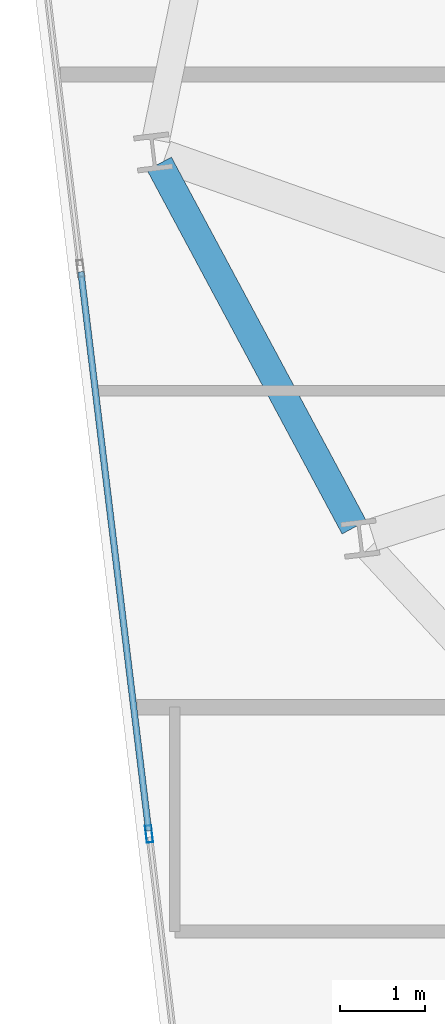
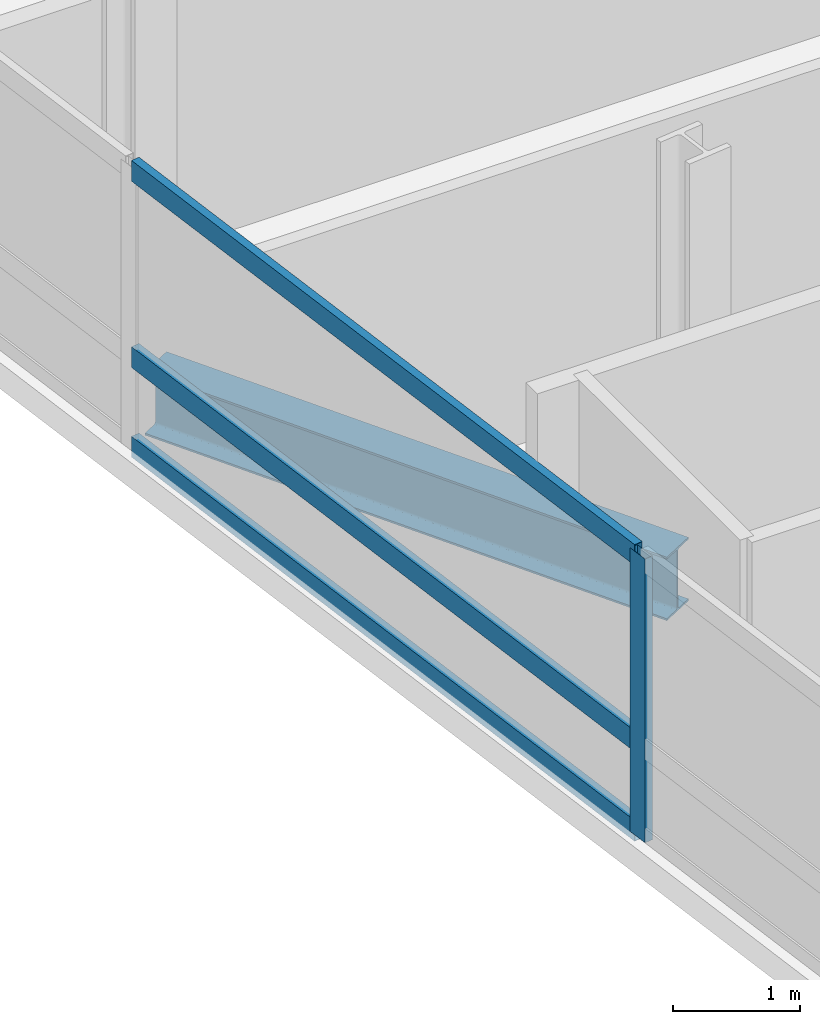
# One storey, part 4 of 23: 4 members, 1 beam, 1 element without a shape of its own.
"""IFC4 building model written with IfcOpenShell, lengths in metres."""

from ifc_helpers import new_model, si_unit, direction, frame, origin, origin_2d, place, context, subcontext, project, spatial, hollow_rectangle, i_section, extrude, material, layer, layer_set, material_profile, profile_set, type_object, element, aggregate, save


model = new_model("IFC4")

# Units and contexts
model_context = context("Model", 3, precision=1e-05, world=origin(), true_north=direction((0.0, 1.0)))
body_context = subcontext(model_context, "Body", "Model", "MODEL_VIEW")
ifc_project = project(units=[si_unit("LENGTHUNIT", "METRE"), si_unit("AREAUNIT", "SQUARE_METRE"), si_unit("VOLUMEUNIT", "CUBIC_METRE"), si_unit("PLANEANGLEUNIT", "RADIAN"), si_unit("MASSUNIT", "GRAM", prefix="KILO")], contexts=[model_context])

# Site, building, storey
site_placement = place(None, origin())
site = spatial("IfcSite", under=ifc_project, at=site_placement, CompositionType="ELEMENT")
building_placement = place(site_placement, origin())
building = spatial("IfcBuilding", under=site, at=building_placement, Name="Varnelok Gate Tower", CompositionType="ELEMENT")
storey_placement = place(building_placement, frame((0.0, 0.0, 200.5)))
storey = spatial("IfcBuildingStorey", under=building, at=storey_placement, Name="L51", CompositionType="ELEMENT", Elevation=200.5)

# Beam
ifc_material_1 = material(Name="Structural Steel ASTM A992 Grade 50", Category="steel")
ifc_material_profile_1 = material_profile(ifc_material_1, i_section(OverallWidth=0.323974609375, OverallDepth=0.611083984375, WebThickness=0.0126953125, FlangeThickness=0.01904296875, FilletRadius=0.01806640625, at=origin_2d()), Name="W24X104")
ifc_profile_set_1 = profile_set([ifc_material_profile_1], Name="Structural Steel ASTM A992 Grade 50")
beam_type = type_object("IfcBeamType", Name="BM-SPN-W24X104", PredefinedType="SPANDREL", material=ifc_profile_set_1)
beam_placement = place(storey_placement, frame((4.816650390625, 25.61474609375, -0.555419921875), z_axis=(0.472471917257, -0.881345725242, 0.0), x_axis=(0.881345725242, 0.472471917257, 0.0)))
element("IfcBeam", 1, at=beam_placement, inside=storey, type_object=beam_type, Name="L51 Perimeter Spandrel Beam 15", PredefinedType="SPANDREL", context=body_context, shape_type="SweptSolid", body=[
    extrude(i_section(OverallWidth=0.323974609375, OverallDepth=0.611083984375, WebThickness=0.0126953125, FlangeThickness=0.01904296875, FilletRadius=0.01806640625, at=origin_2d()), origin(), (0.0, 0.0, 1.0), 4.8408203125),
])

# Curtain wall, members
ifc_material_2 = material(Name="Anodized Aluminum Alloy 6063-T6", Category="aluminium")
ifc_layer = layer(ifc_material_2, 0.179931640625)
ifc_layer_set = layer_set([ifc_layer], Name="Anodized Aluminum Alloy 6063-T6")
curtain_wall_type = type_object("IfcCurtainWallType", Name="CW4-RESIDENCE-VISION", PredefinedType="USERDEFINED", material=ifc_layer_set)
curtain_wall_placement = place(storey_placement, origin())
curtain_wall = element("IfcCurtainWall", 2, at=curtain_wall_placement, inside=storey, type_object=curtain_wall_type, Name="L51 West End Vision Curtain Wall", ObjectType="UNITISED CURTAIN WALL", PredefinedType="USERDEFINED")
ifc_material_profile_2 = material_profile(ifc_material_2, hollow_rectangle(XDim=0.074951171875, YDim=0.199951171875, WallThickness=0.00390625, at=origin_2d()), Name="ALU200X75X4")
ifc_profile_set_2 = profile_set([ifc_material_profile_2], Name="Anodized Aluminum Alloy 6063-T6")
member_type_1 = type_object("IfcMemberType", Name="CW-MULL-200", PredefinedType="MULLION", material=ifc_profile_set_2)
member_1_placement = place(storey_placement, frame((4.697509765625, 17.7529296875, 0.0), z_axis=(0.0, 0.0, 1.0), x_axis=(-0.992732188751, -0.120344511371, 0.0)))
member_1 = element("IfcMember", 3, at=member_1_placement, type_object=member_type_1, Name="CW4 mullion 3", PredefinedType="MULLION", context=body_context, shape_type="SweptSolid", body=[
    extrude(hollow_rectangle(XDim=0.074951171875, YDim=0.199951171875, WallThickness=0.00390625, at=origin_2d()), origin(), (0.0, 0.0, 1.0), 2.72998046875),
])
ifc_material_profile_3 = material_profile(ifc_material_2, hollow_rectangle(XDim=0.074951171875, YDim=0.199951171875, WallThickness=0.00390625, at=origin_2d()), Name="ALU200X75X4")
ifc_profile_set_3 = profile_set([ifc_material_profile_3], Name="Anodized Aluminum Alloy 6063-T6")
member_type_2 = type_object("IfcMemberType", Name="CW-TRAN-200", PredefinedType="USERDEFINED", material=ifc_profile_set_3)
member_2_placement = place(storey_placement, frame((4.69287109375, 17.790283203125, 0.03759765625), z_axis=(-0.120317016873, 0.992735521401, 0.0), x_axis=(-0.992735521401, -0.120317016873, 0.0)))
member_2 = element("IfcMember", 4, at=member_2_placement, type_object=member_type_2, Name="CW4 transom 3.1", ObjectType="TRANSOM", PredefinedType="USERDEFINED", context=body_context, shape_type="SweptSolid", body=[
    extrude(hollow_rectangle(XDim=0.074951171875, YDim=0.199951171875, WallThickness=0.00390625, at=origin_2d()), origin(), (0.0, 0.0, 1.0), 6.60498046875),
])
member_3_placement = place(storey_placement, frame((4.69287109375, 17.790283203125, 0.89990234375), z_axis=(-0.120317016873, 0.992735521401, 0.0), x_axis=(-0.992735521401, -0.120317016873, 0.0)))
member_3 = element("IfcMember", 5, at=member_3_placement, type_object=member_type_2, Name="CW4 transom 3.2", ObjectType="TRANSOM", PredefinedType="USERDEFINED", context=body_context, shape_type="SweptSolid", body=[
    extrude(hollow_rectangle(XDim=0.074951171875, YDim=0.199951171875, WallThickness=0.00390625, at=origin_2d()), origin(), (0.0, 0.0, 1.0), 6.60498046875),
])
member_4_placement = place(storey_placement, frame((4.69287109375, 17.790283203125, 2.6923828125), z_axis=(-0.120317016873, 0.992735521401, 0.0), x_axis=(-0.992735521401, -0.120317016873, 0.0)))
member_4 = element("IfcMember", 6, at=member_4_placement, type_object=member_type_2, Name="CW4 transom 3.3", ObjectType="TRANSOM", PredefinedType="USERDEFINED", context=body_context, shape_type="SweptSolid", body=[
    extrude(hollow_rectangle(XDim=0.074951171875, YDim=0.199951171875, WallThickness=0.00390625, at=origin_2d()), origin(), (0.0, 0.0, 1.0), 6.60498046875),
])
aggregate(curtain_wall, [member_1, member_2, member_3, member_4])

save(model, "model.ifc")
